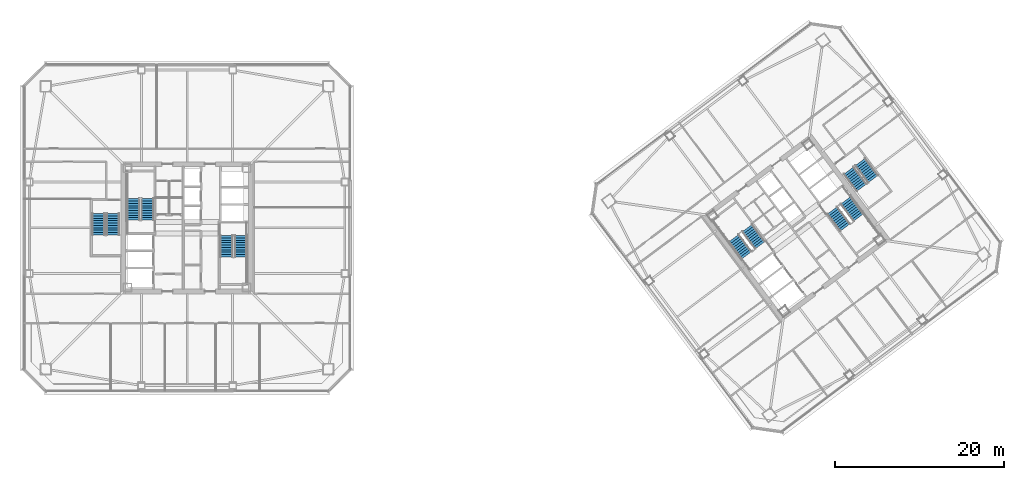
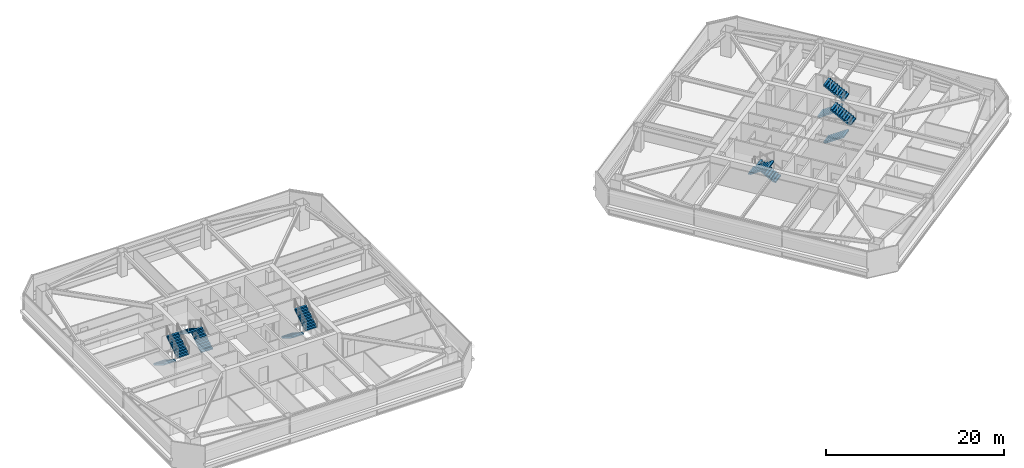
# One storey, part 35 of 41: 12 stair flights, 6 elements without a shape of their own.
"""IFC4 building model written with IfcOpenShell, lengths in metres."""

from ifc_helpers import new_model, si_unit, direction, frame, origin, place, context, subcontext, project, spatial, polyline, outline, extrude, material, type_object, element, aggregate, save


model = new_model("IFC4")

# Units and contexts
model_context = context("Model", 3, precision=1e-05, world=origin(), true_north=direction((0.0, 1.0)))
body_context = subcontext(model_context, "Body", "Model", "MODEL_VIEW")
ifc_project = project(units=[si_unit("LENGTHUNIT", "METRE"), si_unit("AREAUNIT", "SQUARE_METRE"), si_unit("VOLUMEUNIT", "CUBIC_METRE"), si_unit("PLANEANGLEUNIT", "RADIAN"), si_unit("MASSUNIT", "GRAM", prefix="KILO")], contexts=[model_context])

# Site, building, storey
site_placement = place(None, origin())
site = spatial("IfcSite", under=ifc_project, at=site_placement, CompositionType="ELEMENT")
building_placement = place(site_placement, origin())
building = spatial("IfcBuilding", under=site, at=building_placement, Name="Tashvorn Skyway Center", CompositionType="ELEMENT")
storey_placement = place(building_placement, frame((0.0, 0.0, 117.949951171875)))
storey = spatial("IfcBuildingStorey", under=building, at=storey_placement, Name="L31", CompositionType="ELEMENT", Elevation=117.949951171875)

# Stair, stair flights
ifc_material = material(Name="Concrete C40/50", Category="concrete")
stair_type = type_object("IfcStairType", Name="STAIR-CORE-1500", PredefinedType="HALF_TURN_STAIR", material=ifc_material)
stair_1_placement = place(storey_placement, origin())
stair_1 = element("IfcStair", 1, at=stair_1_placement, inside=storey, type_object=stair_type, Name="L31 Tower 1 Exit Stair 1", PredefinedType="HALF_TURN_STAIR")
stair_flight_type = type_object("IfcStairFlightType", Name="SFLIGHT-1500", PredefinedType="STRAIGHT", material=ifc_material)
stair_flight_1_placement = place(storey_placement, frame((37.35009765625, 32.919921875, 0.0), z_axis=(0.0, 0.0, 1.0), x_axis=(0.0, 1.0, 0.0)))
stair_flight_1 = element("IfcStairFlight", 2, at=stair_flight_1_placement, type_object=stair_flight_type, Name="ST-T1-1 flight 1", NumberOfRisers=10, NumberOfTreads=9, PredefinedType="STRAIGHT", RiserHeight=0.1775, TreadLength=0.28, context=body_context, shape_type="SweptSolid", body=[
    extrude(outline(polyline([(0.0, 0.0), (0.0, 0.177490234375), (0.280029296875, 0.177490234375), (0.280029296875, 0.35498046875), (0.56005859375, 0.35498046875), (0.56005859375, 0.532470703125), (0.840087890625, 0.532470703125), (0.840087890625, 0.7099609375), (1.1201171875, 0.7099609375), (1.1201171875, 0.887451171875), (1.39990234375, 0.887451171875), (1.39990234375, 1.06494140625), (1.679931640625, 1.06494140625), (1.679931640625, 1.242431640625), (1.9599609375, 1.242431640625), (1.9599609375, 1.419921875), (2.239990234375, 1.419921875), (2.239990234375, 1.597412109375), (2.52001953125, 1.597412109375), (2.52001953125, 1.77490234375), (2.52001953125, 1.419921875), (0.280029296875, 0.0), (0.0, 0.0)])), frame((0.0, 0.75, 0.0), z_axis=(0.0, -1.0, 0.0), x_axis=(1.0, 0.0, 0.0)), (0.0, 0.0, 1.0), 1.5),
])
stair_flight_2_placement = place(storey_placement, frame((35.64990234375, 35.43994140625, 1.775146484375), z_axis=(0.0, 0.0, 1.0), x_axis=(0.0, -1.0, 0.0)))
stair_flight_2 = element("IfcStairFlight", 3, at=stair_flight_2_placement, type_object=stair_flight_type, Name="ST-T1-1 flight 2", NumberOfRisers=10, NumberOfTreads=9, PredefinedType="STRAIGHT", RiserHeight=0.1775, TreadLength=0.28, context=body_context, shape_type="SweptSolid", body=[
    extrude(outline(polyline([(0.0, 0.0), (0.0, 0.177490234375), (0.280029296875, 0.177490234375), (0.280029296875, 0.35498046875), (0.56005859375, 0.35498046875), (0.56005859375, 0.532470703125), (0.840087890625, 0.532470703125), (0.840087890625, 0.7099609375), (1.1201171875, 0.7099609375), (1.1201171875, 0.887451171875), (1.39990234375, 0.887451171875), (1.39990234375, 1.06494140625), (1.679931640625, 1.06494140625), (1.679931640625, 1.242431640625), (1.9599609375, 1.242431640625), (1.9599609375, 1.419921875), (2.239990234375, 1.419921875), (2.239990234375, 1.597412109375), (2.52001953125, 1.597412109375), (2.52001953125, 1.77490234375), (2.52001953125, 1.419921875), (0.280029296875, 0.0), (0.0, 0.0)])), frame((0.0, 0.75, 0.0), z_axis=(0.0, -1.0, 0.0), x_axis=(1.0, 0.0, 0.0)), (0.0, 0.0, 1.0), 1.5),
])
aggregate(stair_1, [stair_flight_1, stair_flight_2])

stair_2_placement = place(storey_placement, origin())
stair_2 = element("IfcStair", 4, at=stair_2_placement, inside=storey, type_object=stair_type, Name="L31 Tower 1 Exit Stair 2", PredefinedType="HALF_TURN_STAIR")
stair_flight_3_placement = place(storey_placement, frame((46.64990234375, 31.080078125, 0.0), z_axis=(0.0, 0.0, 1.0), x_axis=(0.0, -1.0, 0.0)))
stair_flight_3 = element("IfcStairFlight", 5, at=stair_flight_3_placement, type_object=stair_flight_type, Name="ST-T1-2 flight 1", NumberOfRisers=10, NumberOfTreads=9, PredefinedType="STRAIGHT", RiserHeight=0.1775, TreadLength=0.28, context=body_context, shape_type="SweptSolid", body=[
    extrude(outline(polyline([(0.0, 0.0), (0.0, 0.177490234375), (0.280029296875, 0.177490234375), (0.280029296875, 0.35498046875), (0.56005859375, 0.35498046875), (0.56005859375, 0.532470703125), (0.840087890625, 0.532470703125), (0.840087890625, 0.7099609375), (1.1201171875, 0.7099609375), (1.1201171875, 0.887451171875), (1.39990234375, 0.887451171875), (1.39990234375, 1.06494140625), (1.679931640625, 1.06494140625), (1.679931640625, 1.242431640625), (1.9599609375, 1.242431640625), (1.9599609375, 1.419921875), (2.239990234375, 1.419921875), (2.239990234375, 1.597412109375), (2.52001953125, 1.597412109375), (2.52001953125, 1.77490234375), (2.52001953125, 1.419921875), (0.280029296875, 0.0), (0.0, 0.0)])), frame((0.0, 0.75, 0.0), z_axis=(0.0, -1.0, 0.0), x_axis=(1.0, 0.0, 0.0)), (0.0, 0.0, 1.0), 1.5),
])
stair_flight_4_placement = place(storey_placement, frame((48.35009765625, 28.56005859375, 1.775146484375), z_axis=(0.0, 0.0, 1.0), x_axis=(0.0, 1.0, 0.0)))
stair_flight_4 = element("IfcStairFlight", 6, at=stair_flight_4_placement, type_object=stair_flight_type, Name="ST-T1-2 flight 2", NumberOfRisers=10, NumberOfTreads=9, PredefinedType="STRAIGHT", RiserHeight=0.1775, TreadLength=0.28, context=body_context, shape_type="SweptSolid", body=[
    extrude(outline(polyline([(0.0, 0.0), (0.0, 0.177490234375), (0.280029296875, 0.177490234375), (0.280029296875, 0.35498046875), (0.56005859375, 0.35498046875), (0.56005859375, 0.532470703125), (0.840087890625, 0.532470703125), (0.840087890625, 0.7099609375), (1.1201171875, 0.7099609375), (1.1201171875, 0.887451171875), (1.39990234375, 0.887451171875), (1.39990234375, 1.06494140625), (1.679931640625, 1.06494140625), (1.679931640625, 1.242431640625), (1.9599609375, 1.242431640625), (1.9599609375, 1.419921875), (2.239990234375, 1.419921875), (2.239990234375, 1.597412109375), (2.52001953125, 1.597412109375), (2.52001953125, 1.77490234375), (2.52001953125, 1.419921875), (0.280029296875, 0.0), (0.0, 0.0)])), frame((0.0, 0.75, 0.0), z_axis=(0.0, -1.0, 0.0), x_axis=(1.0, 0.0, 0.0)), (0.0, 0.0, 1.0), 1.5),
])
aggregate(stair_2, [stair_flight_3, stair_flight_4])

stair_3_placement = place(storey_placement, origin())
stair_3 = element("IfcStair", 7, at=stair_3_placement, inside=storey, type_object=stair_type, Name="L31 Tower 2 Exit Stair 1", PredefinedType="HALF_TURN_STAIR")
stair_flight_5_placement = place(storey_placement, frame((109.72802734375, 29.946044921875, 0.0), z_axis=(0.0, 0.0, 1.0), x_axis=(-0.600000004945, 0.799999996291, 0.0)))
stair_flight_5 = element("IfcStairFlight", 8, at=stair_flight_5_placement, type_object=stair_flight_type, Name="ST-T2-1 flight 1", NumberOfRisers=10, NumberOfTreads=9, PredefinedType="STRAIGHT", RiserHeight=0.1775, TreadLength=0.28, context=body_context, shape_type="SweptSolid", body=[
    extrude(outline(polyline([(0.0, 0.0), (0.0, 0.177490234375), (0.280029296875, 0.177490234375), (0.280029296875, 0.35498046875), (0.56005859375, 0.35498046875), (0.56005859375, 0.532470703125), (0.840087890625, 0.532470703125), (0.840087890625, 0.7099609375), (1.1201171875, 0.7099609375), (1.1201171875, 0.887451171875), (1.39990234375, 0.887451171875), (1.39990234375, 1.06494140625), (1.679931640625, 1.06494140625), (1.679931640625, 1.242431640625), (1.9599609375, 1.242431640625), (1.9599609375, 1.419921875), (2.239990234375, 1.419921875), (2.239990234375, 1.597412109375), (2.52001953125, 1.597412109375), (2.52001953125, 1.77490234375), (2.52001953125, 1.419921875), (0.280029296875, 0.0), (0.0, 0.0)])), frame((0.0, 0.75, 0.0), z_axis=(0.0, -1.0, 0.0), x_axis=(1.0, 0.0, 0.0)), (0.0, 0.0, 1.0), 1.5),
])
stair_flight_6_placement = place(storey_placement, frame((106.632080078125, 30.77392578125, 1.775146484375), z_axis=(0.0, 0.0, 1.0), x_axis=(0.600000004945, -0.799999996291, 0.0)))
stair_flight_6 = element("IfcStairFlight", 9, at=stair_flight_6_placement, type_object=stair_flight_type, Name="ST-T2-1 flight 2", NumberOfRisers=10, NumberOfTreads=9, PredefinedType="STRAIGHT", RiserHeight=0.1775, TreadLength=0.28, context=body_context, shape_type="SweptSolid", body=[
    extrude(outline(polyline([(0.0, 0.0), (0.0, 0.177490234375), (0.280029296875, 0.177490234375), (0.280029296875, 0.35498046875), (0.56005859375, 0.35498046875), (0.56005859375, 0.532470703125), (0.840087890625, 0.532470703125), (0.840087890625, 0.7099609375), (1.1201171875, 0.7099609375), (1.1201171875, 0.887451171875), (1.39990234375, 0.887451171875), (1.39990234375, 1.06494140625), (1.679931640625, 1.06494140625), (1.679931640625, 1.242431640625), (1.9599609375, 1.242431640625), (1.9599609375, 1.419921875), (2.239990234375, 1.419921875), (2.239990234375, 1.597412109375), (2.52001953125, 1.597412109375), (2.52001953125, 1.77490234375), (2.52001953125, 1.419921875), (0.280029296875, 0.0), (0.0, 0.0)])), frame((0.0, 0.75, 0.0), z_axis=(0.0, -1.0, 0.0), x_axis=(1.0, 0.0, 0.0)), (0.0, 0.0, 1.0), 1.5),
])
aggregate(stair_3, [stair_flight_5, stair_flight_6])

stair_4_placement = place(storey_placement, origin())
stair_4 = element("IfcStair", 10, at=stair_4_placement, inside=storey, type_object=stair_type, Name="L31 Tower 2 Exit Stair 2", PredefinedType="HALF_TURN_STAIR")
stair_flight_7_placement = place(storey_placement, frame((118.27197265625, 34.053955078125, 0.0), z_axis=(0.0, 0.0, 1.0), x_axis=(0.600000004945, -0.799999996291, 0.0)))
stair_flight_7 = element("IfcStairFlight", 11, at=stair_flight_7_placement, type_object=stair_flight_type, Name="ST-T2-2 flight 1", NumberOfRisers=10, NumberOfTreads=9, PredefinedType="STRAIGHT", RiserHeight=0.1775, TreadLength=0.28, context=body_context, shape_type="SweptSolid", body=[
    extrude(outline(polyline([(0.0, 0.0), (0.0, 0.177490234375), (0.280029296875, 0.177490234375), (0.280029296875, 0.35498046875), (0.56005859375, 0.35498046875), (0.56005859375, 0.532470703125), (0.840087890625, 0.532470703125), (0.840087890625, 0.7099609375), (1.1201171875, 0.7099609375), (1.1201171875, 0.887451171875), (1.39990234375, 0.887451171875), (1.39990234375, 1.06494140625), (1.679931640625, 1.06494140625), (1.679931640625, 1.242431640625), (1.9599609375, 1.242431640625), (1.9599609375, 1.419921875), (2.239990234375, 1.419921875), (2.239990234375, 1.597412109375), (2.52001953125, 1.597412109375), (2.52001953125, 1.77490234375), (2.52001953125, 1.419921875), (0.280029296875, 0.0), (0.0, 0.0)])), frame((0.0, 0.75, 0.0), z_axis=(0.0, -1.0, 0.0), x_axis=(1.0, 0.0, 0.0)), (0.0, 0.0, 1.0), 1.5),
])
stair_flight_8_placement = place(storey_placement, frame((121.367919921875, 33.22607421875, 1.775146484375), z_axis=(0.0, 0.0, 1.0), x_axis=(-0.600000004945, 0.799999996291, 0.0)))
stair_flight_8 = element("IfcStairFlight", 12, at=stair_flight_8_placement, type_object=stair_flight_type, Name="ST-T2-2 flight 2", NumberOfRisers=10, NumberOfTreads=9, PredefinedType="STRAIGHT", RiserHeight=0.1775, TreadLength=0.28, context=body_context, shape_type="SweptSolid", body=[
    extrude(outline(polyline([(0.0, 0.0), (0.0, 0.177490234375), (0.280029296875, 0.177490234375), (0.280029296875, 0.35498046875), (0.56005859375, 0.35498046875), (0.56005859375, 0.532470703125), (0.840087890625, 0.532470703125), (0.840087890625, 0.7099609375), (1.1201171875, 0.7099609375), (1.1201171875, 0.887451171875), (1.39990234375, 0.887451171875), (1.39990234375, 1.06494140625), (1.679931640625, 1.06494140625), (1.679931640625, 1.242431640625), (1.9599609375, 1.242431640625), (1.9599609375, 1.419921875), (2.239990234375, 1.419921875), (2.239990234375, 1.597412109375), (2.52001953125, 1.597412109375), (2.52001953125, 1.77490234375), (2.52001953125, 1.419921875), (0.280029296875, 0.0), (0.0, 0.0)])), frame((0.0, 0.75, 0.0), z_axis=(0.0, -1.0, 0.0), x_axis=(1.0, 0.0, 0.0)), (0.0, 0.0, 1.0), 1.5),
])
aggregate(stair_4, [stair_flight_7, stair_flight_8])

stair_5_placement = place(storey_placement, origin())
stair_5 = element("IfcStair", 13, at=stair_5_placement, inside=storey, type_object=stair_type, Name="L31 Tower 1 Exit Stair 3", PredefinedType="HALF_TURN_STAIR")
stair_flight_9_placement = place(storey_placement, frame((31.550048828125, 33.679931640625, 0.0), z_axis=(0.0, 0.0, 1.0), x_axis=(0.0, -1.0, 0.0)))
stair_flight_9 = element("IfcStairFlight", 14, at=stair_flight_9_placement, type_object=stair_flight_type, Name="ST-T1-3 flight 1", NumberOfRisers=10, NumberOfTreads=9, PredefinedType="STRAIGHT", RiserHeight=0.1775, TreadLength=0.28, context=body_context, shape_type="SweptSolid", body=[
    extrude(outline(polyline([(0.0, 0.0), (0.0, 0.177490234375), (0.280029296875, 0.177490234375), (0.280029296875, 0.35498046875), (0.56005859375, 0.35498046875), (0.56005859375, 0.532470703125), (0.840087890625, 0.532470703125), (0.840087890625, 0.7099609375), (1.1201171875, 0.7099609375), (1.1201171875, 0.887451171875), (1.39990234375, 0.887451171875), (1.39990234375, 1.06494140625), (1.679931640625, 1.06494140625), (1.679931640625, 1.242431640625), (1.9599609375, 1.242431640625), (1.9599609375, 1.419921875), (2.239990234375, 1.419921875), (2.239990234375, 1.597412109375), (2.52001953125, 1.597412109375), (2.52001953125, 1.77490234375), (2.52001953125, 1.419921875), (0.280029296875, 0.0), (0.0, 0.0)])), frame((0.0, 0.75, 0.0), z_axis=(0.0, -1.0, 0.0), x_axis=(1.0, 0.0, 0.0)), (0.0, 0.0, 1.0), 1.5),
])
stair_flight_10_placement = place(storey_placement, frame((33.25, 31.159912109375, 1.775146484375), z_axis=(0.0, 0.0, 1.0), x_axis=(0.0, 1.0, 0.0)))
stair_flight_10 = element("IfcStairFlight", 15, at=stair_flight_10_placement, type_object=stair_flight_type, Name="ST-T1-3 flight 2", NumberOfRisers=10, NumberOfTreads=9, PredefinedType="STRAIGHT", RiserHeight=0.1775, TreadLength=0.28, context=body_context, shape_type="SweptSolid", body=[
    extrude(outline(polyline([(0.0, 0.0), (0.0, 0.177490234375), (0.280029296875, 0.177490234375), (0.280029296875, 0.35498046875), (0.56005859375, 0.35498046875), (0.56005859375, 0.532470703125), (0.840087890625, 0.532470703125), (0.840087890625, 0.7099609375), (1.1201171875, 0.7099609375), (1.1201171875, 0.887451171875), (1.39990234375, 0.887451171875), (1.39990234375, 1.06494140625), (1.679931640625, 1.06494140625), (1.679931640625, 1.242431640625), (1.9599609375, 1.242431640625), (1.9599609375, 1.419921875), (2.239990234375, 1.419921875), (2.239990234375, 1.597412109375), (2.52001953125, 1.597412109375), (2.52001953125, 1.77490234375), (2.52001953125, 1.419921875), (0.280029296875, 0.0), (0.0, 0.0)])), frame((0.0, 0.75, 0.0), z_axis=(0.0, -1.0, 0.0), x_axis=(1.0, 0.0, 0.0)), (0.0, 0.0, 1.0), 1.5),
])
aggregate(stair_5, [stair_flight_9, stair_flight_10])

stair_6_placement = place(storey_placement, origin())
stair_6 = element("IfcStair", 16, at=stair_6_placement, inside=storey, type_object=stair_type, Name="L31 Tower 2 Exit Stair 3", PredefinedType="HALF_TURN_STAIR")
stair_flight_11_placement = place(storey_placement, frame((120.216064453125, 38.761962890625, 0.0), z_axis=(0.0, 0.0, 1.0), x_axis=(0.600000004945, -0.799999996291, 0.0)))
stair_flight_11 = element("IfcStairFlight", 17, at=stair_flight_11_placement, type_object=stair_flight_type, Name="ST-T2-3 flight 1", NumberOfRisers=10, NumberOfTreads=9, PredefinedType="STRAIGHT", RiserHeight=0.1775, TreadLength=0.28, context=body_context, shape_type="SweptSolid", body=[
    extrude(outline(polyline([(0.0, 0.0), (0.0, 0.177490234375), (0.280029296875, 0.177490234375), (0.280029296875, 0.35498046875), (0.56005859375, 0.35498046875), (0.56005859375, 0.532470703125), (0.840087890625, 0.532470703125), (0.840087890625, 0.7099609375), (1.1201171875, 0.7099609375), (1.1201171875, 0.887451171875), (1.39990234375, 0.887451171875), (1.39990234375, 1.06494140625), (1.679931640625, 1.06494140625), (1.679931640625, 1.242431640625), (1.9599609375, 1.242431640625), (1.9599609375, 1.419921875), (2.239990234375, 1.419921875), (2.239990234375, 1.597412109375), (2.52001953125, 1.597412109375), (2.52001953125, 1.77490234375), (2.52001953125, 1.419921875), (0.280029296875, 0.0), (0.0, 0.0)])), frame((0.0, 0.75, 0.0), z_axis=(0.0, -1.0, 0.0), x_axis=(1.0, 0.0, 0.0)), (0.0, 0.0, 1.0), 1.5),
])
stair_flight_12_placement = place(storey_placement, frame((123.087890625, 37.76611328125, 1.775146484375), z_axis=(0.0, 0.0, 1.0), x_axis=(-0.600000004945, 0.799999996291, 0.0)))
stair_flight_12 = element("IfcStairFlight", 18, at=stair_flight_12_placement, type_object=stair_flight_type, Name="ST-T2-3 flight 2", NumberOfRisers=10, NumberOfTreads=9, PredefinedType="STRAIGHT", RiserHeight=0.1775, TreadLength=0.28, context=body_context, shape_type="SweptSolid", body=[
    extrude(outline(polyline([(0.0, 0.0), (0.0, 0.177490234375), (0.280029296875, 0.177490234375), (0.280029296875, 0.35498046875), (0.56005859375, 0.35498046875), (0.56005859375, 0.532470703125), (0.840087890625, 0.532470703125), (0.840087890625, 0.7099609375), (1.1201171875, 0.7099609375), (1.1201171875, 0.887451171875), (1.39990234375, 0.887451171875), (1.39990234375, 1.06494140625), (1.679931640625, 1.06494140625), (1.679931640625, 1.242431640625), (1.9599609375, 1.242431640625), (1.9599609375, 1.419921875), (2.239990234375, 1.419921875), (2.239990234375, 1.597412109375), (2.52001953125, 1.597412109375), (2.52001953125, 1.77490234375), (2.52001953125, 1.419921875), (0.280029296875, 0.0), (0.0, 0.0)])), frame((0.0, 0.75, 0.0), z_axis=(0.0, -1.0, 0.0), x_axis=(1.0, 0.0, 0.0)), (0.0, 0.0, 1.0), 1.5),
])
aggregate(stair_6, [stair_flight_11, stair_flight_12])

save(model, "model.ifc")
